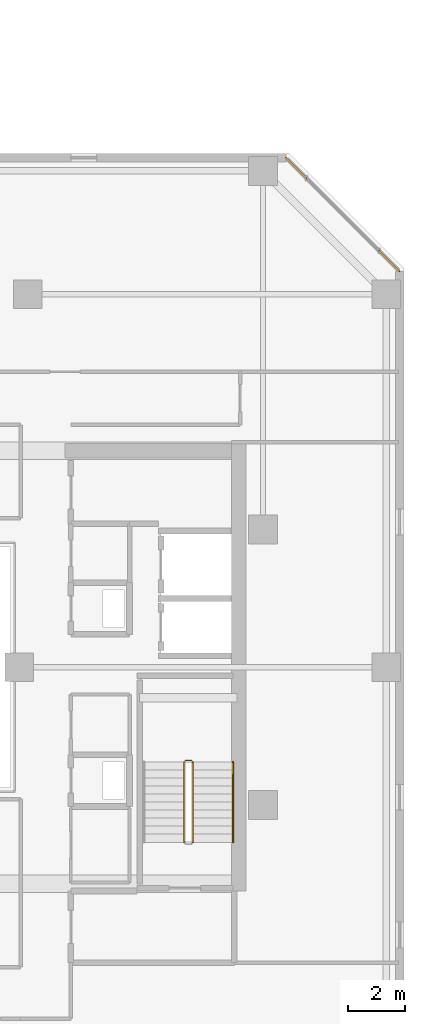
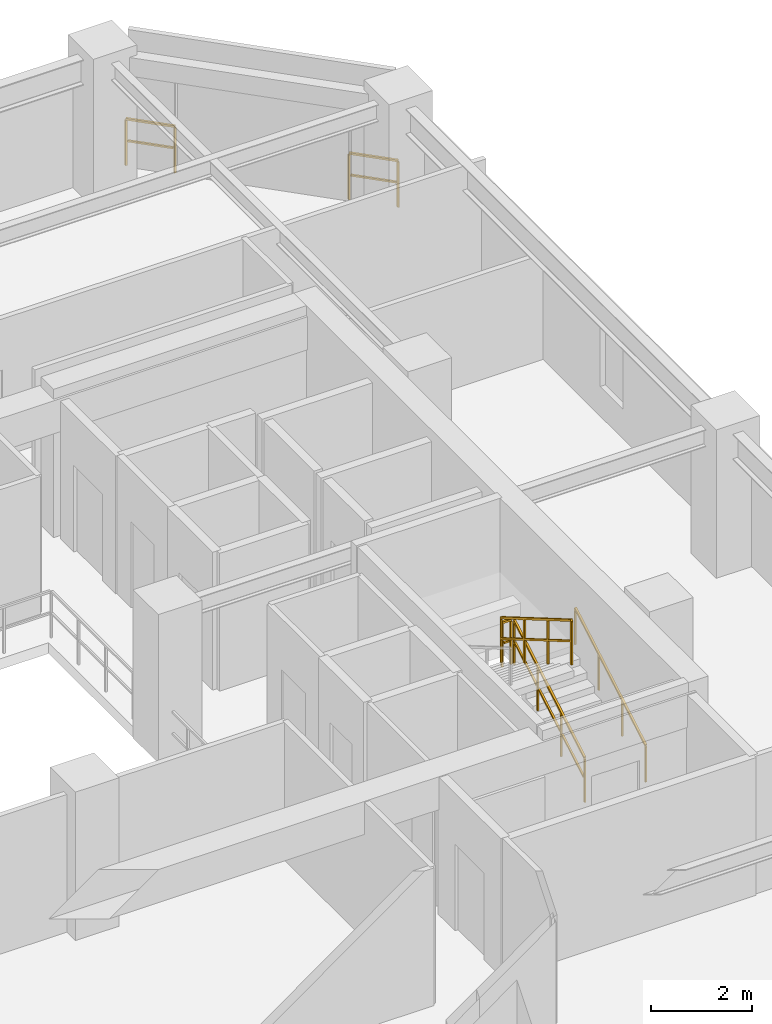
# One storey, part 33 of 33: 6 railings.
"""IFC4 building model written with IfcOpenShell, lengths in metres."""

from ifc_helpers import new_model, si_unit, direction, frame, origin, origin_2d, place, context, subcontext, project, spatial, rectangle, extrude, material, type_object, element, save


model = new_model("IFC4")

# Units and contexts
model_context = context("Model", 3, precision=1e-05, world=origin(), true_north=direction((0.0, 1.0)))
body_context = subcontext(model_context, "Body", "Model", "MODEL_VIEW")
ifc_project = project(units=[si_unit("LENGTHUNIT", "METRE"), si_unit("AREAUNIT", "SQUARE_METRE"), si_unit("VOLUMEUNIT", "CUBIC_METRE"), si_unit("PLANEANGLEUNIT", "RADIAN"), si_unit("MASSUNIT", "GRAM", prefix="KILO")], contexts=[model_context])

# Site, building, storey
site_placement = place(None, origin())
site = spatial("IfcSite", under=ifc_project, at=site_placement, CompositionType="ELEMENT")
building_placement = place(site_placement, origin())
building = spatial("IfcBuilding", under=site, at=building_placement, Name="Thornwick Lancets Civic Towers", CompositionType="ELEMENT")
storey_placement = place(building_placement, frame((0.0, 0.0, 203.699951171875)))
storey = spatial("IfcBuildingStorey", under=building, at=storey_placement, Name="L54", CompositionType="ELEMENT", Elevation=203.699951171875)

# Railings
ifc_material_1 = material(Name="Brushed stainless steel S355", Category="steel")
railing_type_1 = type_object("IfcRailingType", Name="RAIL_HANDRAIL", PredefinedType="HANDRAIL", material=ifc_material_1)
railing_1_placement = place(storey_placement, frame((100.449951171875, 20.89990234375, 0.16357421875)))
element("IfcRailing", 1, at=railing_1_placement, inside=storey, type_object=railing_type_1, Name="L54 ST-B1 stair handrail 1", PredefinedType="HANDRAIL", context=body_context, shape_type="SweptSolid", body=[
    extrude(rectangle(XDim=0.048095703125, YDim=0.048095703125, at=origin_2d()), frame((0.0, 0.0, 0.8857421875), z_axis=(0.0, 0.863360870873, 0.504586966384), x_axis=(-1.0, 0.0, 0.0)), (0.0, 0.0, 1.0), 3.2431640625),
    extrude(rectangle(XDim=0.0419921875, YDim=0.0419921875, at=origin_2d()), origin(), (0.0, 0.0, 1.0), 0.855712890625),
    extrude(rectangle(XDim=0.0419921875, YDim=0.0419921875, at=origin_2d()), frame((0.0, 0.933349609375, 0.54541015625)), (0.0, 0.0, 1.0), 0.855712890625),
    extrude(rectangle(XDim=0.0419921875, YDim=0.0419921875, at=origin_2d()), frame((0.0, 1.86669921875, 1.091064453125)), (0.0, 0.0, 1.0), 0.855712890625),
    extrude(rectangle(XDim=0.0419921875, YDim=0.0419921875, at=origin_2d()), frame((0.0, 2.800048828125, 1.636474609375)), (0.0, 0.0, 1.0), 0.855712890625),
])
ifc_material_2 = material(Name="Steel S355JR", Category="steel")
railing_type_2 = type_object("IfcRailingType", Name="RAIL_STAIR_GUARD", PredefinedType="GUARDRAIL", material=ifc_material_2)
railing_2_placement = place(storey_placement, frame((99.050048828125, 20.89990234375, 0.16357421875)))
element("IfcRailing", 2, at=railing_2_placement, inside=storey, type_object=railing_type_2, Name="L54 ST-B1 stair guard 1", PredefinedType="GUARDRAIL", context=body_context, shape_type="SweptSolid", body=[
    extrude(rectangle(XDim=0.048095703125, YDim=0.048095703125, at=origin_2d()), frame((0.0, 0.0, 1.076171875), z_axis=(0.0, 0.863360870873, 0.504586966384), x_axis=(-1.0, 0.0, 0.0)), (0.0, 0.0, 1.0), 3.2431640625),
    extrude(rectangle(XDim=0.0419921875, YDim=0.0419921875, at=origin_2d()), frame((0.0, 0.032470703125, 0.591064453125), z_axis=(0.0, 0.863360870873, 0.504586966384), x_axis=(-1.0, 0.0, 0.0)), (0.0, 0.0, 1.0), 1.006103515625),
    extrude(rectangle(XDim=0.0419921875, YDim=0.0419921875, at=origin_2d()), frame((0.0, 0.9658203125, 1.136474609375), z_axis=(0.0, 0.863360870873, 0.504586966384), x_axis=(-1.0, 0.0, 0.0)), (0.0, 0.0, 1.0), 1.006103515625),
    extrude(rectangle(XDim=0.0419921875, YDim=0.0419921875, at=origin_2d()), frame((0.0, 1.899169921875, 1.681884765625), z_axis=(0.0, 0.863360870873, 0.504586966384), x_axis=(-1.0, 0.0, 0.0)), (0.0, 0.0, 1.0), 1.006103515625),
    extrude(rectangle(XDim=0.0419921875, YDim=0.0419921875, at=origin_2d()), origin(), (0.0, 0.0, 1.0), 1.0458984375),
    extrude(rectangle(XDim=0.0419921875, YDim=0.0419921875, at=origin_2d()), frame((0.0, 0.933349609375, 0.54541015625)), (0.0, 0.0, 1.0), 1.0458984375),
    extrude(rectangle(XDim=0.0419921875, YDim=0.0419921875, at=origin_2d()), frame((0.0, 1.86669921875, 1.091064453125)), (0.0, 0.0, 1.0), 1.0458984375),
    extrude(rectangle(XDim=0.0419921875, YDim=0.0419921875, at=origin_2d()), frame((0.0, 2.800048828125, 1.636474609375)), (0.0, 0.0, 1.0), 1.0458984375),
])
railing_3_placement = place(storey_placement, frame((99.0, 23.75, 1.800048828125)))
element("IfcRailing", 3, at=railing_3_placement, inside=storey, type_object=railing_type_2, Name="L54 ST-B1 stair guard 2", PredefinedType="GUARDRAIL", context=body_context, shape_type="SweptSolid", body=[
    extrude(rectangle(XDim=0.048095703125, YDim=0.048095703125, at=origin_2d()), frame((0.0, 0.0, 1.076171875), z_axis=(-1.0, 0.0, 0.0), x_axis=(0.0, -1.0, 0.0)), (0.0, 0.0, 1.0), 0.199951171875),
    extrude(rectangle(XDim=0.0419921875, YDim=0.0419921875, at=origin_2d()), frame((-0.03759765625, 0.0, 0.572021484375), z_axis=(-1.0, 0.0, 0.0), x_axis=(0.0, -1.0, 0.0)), (0.0, 0.0, 1.0), 0.125),
    extrude(rectangle(XDim=0.0419921875, YDim=0.0419921875, at=origin_2d()), origin(), (0.0, 0.0, 1.0), 1.0458984375),
    extrude(rectangle(XDim=0.0419921875, YDim=0.0419921875, at=origin_2d()), frame((-0.199951171875, 0.0, 0.0)), (0.0, 0.0, 1.0), 1.0458984375),
])
railing_4_placement = place(storey_placement, frame((98.75, 23.699951171875, 1.963623046875)))
element("IfcRailing", 4, at=railing_4_placement, inside=storey, type_object=railing_type_2, Name="L54 ST-B1 stair guard 3", PredefinedType="GUARDRAIL", context=body_context, shape_type="SweptSolid", body=[
    extrude(rectangle(XDim=0.048095703125, YDim=0.048095703125, at=origin_2d()), frame((0.0, 0.0, 1.076171875), z_axis=(0.0, -0.863360870873, 0.504586966384), x_axis=(1.0, 0.0, 0.0)), (0.0, 0.0, 1.0), 3.2431640625),
    extrude(rectangle(XDim=0.0419921875, YDim=0.0419921875, at=origin_2d()), frame((0.0, -0.032470703125, 0.591064453125), z_axis=(0.0, -0.863360870873, 0.504586966384), x_axis=(1.0, 0.0, 0.0)), (0.0, 0.0, 1.0), 1.006103515625),
    extrude(rectangle(XDim=0.0419921875, YDim=0.0419921875, at=origin_2d()), frame((0.0, -0.9658203125, 1.136474609375), z_axis=(0.0, -0.863360870873, 0.504586966384), x_axis=(1.0, 0.0, 0.0)), (0.0, 0.0, 1.0), 1.006103515625),
    extrude(rectangle(XDim=0.0419921875, YDim=0.0419921875, at=origin_2d()), frame((0.0, -1.899169921875, 1.681884765625), z_axis=(0.0, -0.863360870873, 0.504586966384), x_axis=(1.0, 0.0, 0.0)), (0.0, 0.0, 1.0), 1.006103515625),
    extrude(rectangle(XDim=0.0419921875, YDim=0.0419921875, at=origin_2d()), origin(), (0.0, 0.0, 1.0), 1.0458984375),
    extrude(rectangle(XDim=0.0419921875, YDim=0.0419921875, at=origin_2d()), frame((0.0, -0.933349609375, 0.54541015625)), (0.0, 0.0, 1.0), 1.0458984375),
    extrude(rectangle(XDim=0.0419921875, YDim=0.0419921875, at=origin_2d()), frame((0.0, -1.86669921875, 1.091064453125)), (0.0, 0.0, 1.0), 1.0458984375),
    extrude(rectangle(XDim=0.0419921875, YDim=0.0419921875, at=origin_2d()), frame((0.0, -2.800048828125, 1.636474609375)), (0.0, 0.0, 1.0), 1.0458984375),
])
ifc_material_3 = material(Name="Terracotta-capped laminated glass balustrade S355", Category="masonry")
railing_type_3 = type_object("IfcRailingType", Name="RAIL_TERR_GUARD", PredefinedType="GUARDRAIL", material=ifc_material_3)
railing_5_placement = place(storey_placement, frame((106.260009765625, 40.8017578125, 0.0)))
element("IfcRailing", 5, at=railing_5_placement, inside=storey, type_object=railing_type_3, Name="L54 Tower B Chamfer Spandrel Guard E3-1", PredefinedType="GUARDRAIL", context=body_context, shape_type="SweptSolid", body=[
    extrude(rectangle(XDim=0.048095703125, YDim=0.048095703125, at=origin_2d()), frame((0.0, 0.0, 1.1259765625), z_axis=(-0.706985711626, 0.707227830021, 0.0), x_axis=(-0.707227830021, -0.706985711626, 0.0)), (0.0, 0.0, 1.0), 1.00830078125),
    extrude(rectangle(XDim=0.0419921875, YDim=0.0419921875, at=origin_2d()), frame((-0.026611328125, 0.026611328125, 0.597900390625), z_axis=(-0.706985711626, 0.707227830021, 0.0), x_axis=(-0.707227830021, -0.706985711626, 0.0)), (0.0, 0.0, 1.0), 0.933349609375),
    extrude(rectangle(XDim=0.0419921875, YDim=0.0419921875, at=origin_2d()), origin(), (0.0, 0.0, 1.0), 1.095703125),
    extrude(rectangle(XDim=0.0419921875, YDim=0.0419921875, at=origin_2d()), frame((-0.712890625, 0.713134765625, 0.0)), (0.0, 0.0, 1.0), 1.095703125),
])
railing_6_placement = place(storey_placement, frame((103.014892578125, 44.047119140625, 0.0)))
element("IfcRailing", 6, at=railing_6_placement, inside=storey, type_object=railing_type_3, Name="L54 Tower B Chamfer Spandrel Guard E3-2", PredefinedType="GUARDRAIL", context=body_context, shape_type="SweptSolid", body=[
    extrude(rectangle(XDim=0.048095703125, YDim=0.048095703125, at=origin_2d()), frame((0.0, 0.0, 1.1259765625), z_axis=(-0.707227830021, 0.706985711626, 0.0), x_axis=(-0.706985711626, -0.707227830021, 0.0)), (0.0, 0.0, 1.0), 1.00830078125),
    extrude(rectangle(XDim=0.0419921875, YDim=0.0419921875, at=origin_2d()), frame((-0.026611328125, 0.026611328125, 0.597900390625), z_axis=(-0.707227830021, 0.706985711626, 0.0), x_axis=(-0.706985711626, -0.707227830021, 0.0)), (0.0, 0.0, 1.0), 0.933349609375),
    extrude(rectangle(XDim=0.0419921875, YDim=0.0419921875, at=origin_2d()), origin(), (0.0, 0.0, 1.0), 1.095703125),
    extrude(rectangle(XDim=0.0419921875, YDim=0.0419921875, at=origin_2d()), frame((-0.713134765625, 0.712890625, 0.0)), (0.0, 0.0, 1.0), 1.095703125),
])

save(model, "model.ifc")
